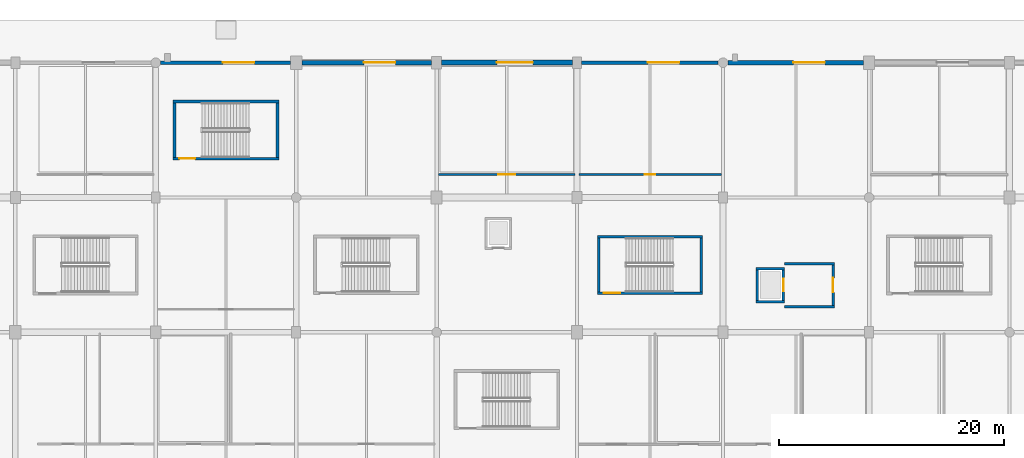
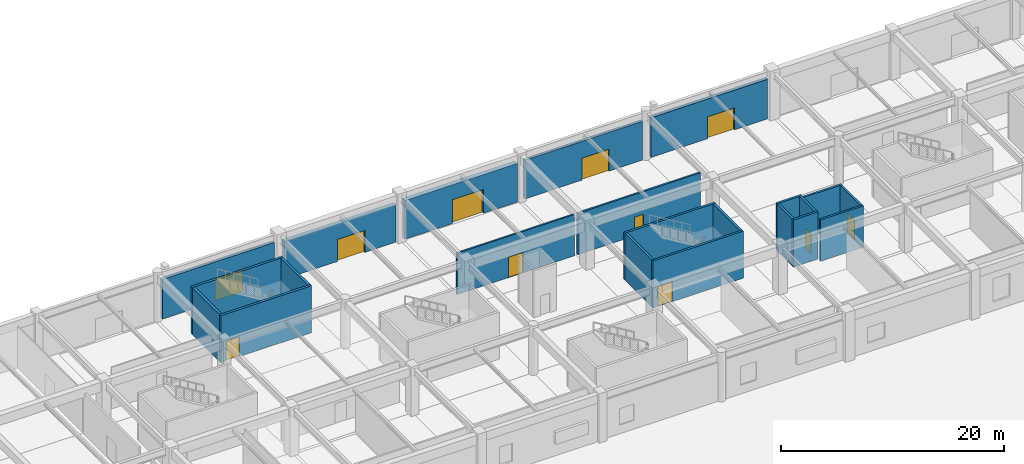
# One storey, part 31 of 69: 22 walls, 11 doors, 11 openings.
"""IFC4 building model written with IfcOpenShell, lengths in metres."""

from ifc_helpers import new_model, si_unit, direction, frame, frame_2d, origin, place, context, subcontext, project, spatial, rectangle, extrude, material, layer, layer_set, type_object, element, fill, save


model = new_model("IFC4")

# Units and contexts
model_context = context("Model", 3, precision=1e-05, world=origin(), true_north=direction((0.0, 1.0)))
body_context = subcontext(model_context, "Body", "Model", "MODEL_VIEW")
ifc_project = project(units=[si_unit("LENGTHUNIT", "METRE"), si_unit("AREAUNIT", "SQUARE_METRE"), si_unit("VOLUMEUNIT", "CUBIC_METRE"), si_unit("PLANEANGLEUNIT", "RADIAN"), si_unit("MASSUNIT", "GRAM", prefix="KILO")], contexts=[model_context])

# Site, building, storey
site_placement = place(None, origin())
site = spatial("IfcSite", under=ifc_project, at=site_placement, CompositionType="ELEMENT")
building_placement = place(site_placement, origin())
building = spatial("IfcBuilding", under=site, at=building_placement, Name="Kazenohara Klinker Stadium", CompositionType="ELEMENT")
storey_placement = place(building_placement, origin())
storey = spatial("IfcBuildingStorey", under=building, at=storey_placement, Name="L00", CompositionType="ELEMENT", Elevation=0.0)

# Wall, opening, door
ifc_material_1 = material(Name="Concrete C40/50", Category="concrete")
ifc_layer_1 = layer(ifc_material_1, 0.22998046875)
ifc_layer_set_1 = layer_set([ifc_layer_1], Name="Concrete C40/50")
wall_type_1 = type_object("IfcWallType", Name="WAL-CORE-230", PredefinedType="SHEAR", material=ifc_layer_set_1)
wall_1_placement = place(storey_placement, frame((100.820068359375, 147.485107421875, 0.0), z_axis=(0.0, 0.0, 1.0), x_axis=(1.0, 0.0, 0.0)))
wall_1 = element("IfcWall", 1, at=wall_1_placement, inside=storey, type_object=wall_type_1, Name="Stairwell shear wall ST10 L00 South", PredefinedType="SHEAR", context=body_context, shape_type="SweptSolid", body=[
    extrude(rectangle(XDim=9.35986328125, YDim=0.22998046875, at=frame_2d((4.679931640625, 0.0))), origin(), (0.0, 0.0, 1.0), 5.139892578125),
])
opening_1_placement = place(wall_1_placement, frame((0.550048828125, 0.0, 0.0)))
opening_1 = element("IfcOpeningElement", 2, at=opening_1_placement, cuts=wall_1, Name="Opening SD02", PredefinedType="OPENING", context=body_context, shape_type="SweptSolid", body=[
    extrude(rectangle(XDim=1.5, YDim=2.199951171875, at=frame_2d((0.75, 1.10009765625))), frame((0.0, 0.125, 0.0), z_axis=(0.0, -1.0, 0.0), x_axis=(1.0, 0.0, 0.0)), (0.0, 0.0, 1.0), 0.25),
])
ifc_material_2 = material(Name="Flush painted steel fire door leaf", Category="steel")
door_type_1 = type_object("IfcDoorType", Name="DR-STR-1500x2200", OperationType="NOTDEFINED", PredefinedType="DOOR", material=ifc_material_2)
door_1_placement = place(opening_1_placement, origin())
door_1 = element("IfcDoor", 3, at=door_1_placement, inside=storey, type_object=door_type_1, Name="Escape stairwell fire door ST10-L00", OperationType="SINGLE_SWING_LEFT", OverallHeight=2.199951171875, OverallWidth=1.5, PredefinedType="DOOR", context=body_context, shape_type="SweptSolid", body=[
    extrude(rectangle(XDim=1.5, YDim=2.199951171875, at=frame_2d((0.75, 1.10009765625))), frame((0.0, 0.02490234375, 0.0), z_axis=(0.0, -1.0, 0.0), x_axis=(1.0, 0.0, 0.0)), (0.0, 0.0, 1.0), 0.050048828125),
])
fill(opening_1, door_1)

# Walls
wall_2_placement = place(storey_placement, frame((100.820068359375, 152.514892578125, 0.0), z_axis=(0.0, 0.0, 1.0), x_axis=(1.0, 0.0, 0.0)))
element("IfcWall", 4, at=wall_2_placement, inside=storey, type_object=wall_type_1, Name="Stairwell shear wall ST10 L00 North", PredefinedType="SHEAR", context=body_context, shape_type="SweptSolid", body=[
    extrude(rectangle(XDim=9.35986328125, YDim=0.22998046875, at=frame_2d((4.679931640625, 0.0))), origin(), (0.0, 0.0, 1.0), 5.139892578125),
])
for number, where, z_axis, x_axis, name in (
    (5, (100.93505859375, 147.60009765625, 0.0), (0.0, 0.0, 1.0), (0.0, 1.0, 0.0), "Stairwell shear wall ST10 L00 West"),
    (6, (110.06494140625, 147.60009765625, 0.0), (0.0, 0.0, 1.0), (0.0, 1.0, 0.0), "Stairwell shear wall ST10 L00 East"),
):
    element("IfcWall", number, at=place(storey_placement, frame(where, z_axis=z_axis, x_axis=x_axis)), inside=storey, type_object=wall_type_1, Name=name, PredefinedType="SHEAR", context=body_context, shape_type="SweptSolid", body=[
        extrude(rectangle(XDim=4.7998046875, YDim=0.22998046875, at=frame_2d((2.39990234375, 0.0))), origin(), (0.0, 0.0, 1.0), 5.139892578125),
    ])
for number, where, z_axis, x_axis, name in (
    (7, (114.919921875, 146.735107421875, 0.0), (0.0, 0.0, 1.0), (1.0, 0.0, 0.0), "Elevator shaft wall LF04 L00 South"),
    (8, (114.919921875, 149.6650390625, 0.0), (0.0, 0.0, 1.0), (1.0, 0.0, 0.0), "Elevator shaft wall LF04 L00 North"),
):
    element("IfcWall", number, at=place(storey_placement, frame(where, z_axis=z_axis, x_axis=x_axis)), inside=storey, type_object=wall_type_1, Name=name, PredefinedType="SHEAR", context=body_context, shape_type="SweptSolid", body=[
        extrude(rectangle(XDim=2.56005859375, YDim=0.22998046875, at=frame_2d((1.280029296875, 0.0))), origin(), (0.0, 0.0, 1.0), 5.139892578125),
    ])
wall_3_placement = place(storey_placement, frame((115.034912109375, 146.85009765625, 0.0), z_axis=(0.0, 0.0, 1.0), x_axis=(0.0, 1.0, 0.0)))
element("IfcWall", 9, at=wall_3_placement, inside=storey, type_object=wall_type_1, Name="Elevator shaft wall LF04 L00 West", PredefinedType="SHEAR", context=body_context, shape_type="SweptSolid", body=[
    extrude(rectangle(XDim=2.699951171875, YDim=0.22998046875, at=frame_2d((1.35009765625, 0.0))), origin(), (0.0, 0.0, 1.0), 5.139892578125),
])

# Wall, opening, door
wall_4_placement = place(storey_placement, frame((117.364990234375, 146.85009765625, 0.0), z_axis=(0.0, 0.0, 1.0), x_axis=(0.0, 1.0, 0.0)))
wall_4 = element("IfcWall", 10, at=wall_4_placement, inside=storey, type_object=wall_type_1, Name="Elevator shaft wall LF04 L00 East", PredefinedType="SHEAR", context=body_context, shape_type="SweptSolid", body=[
    extrude(rectangle(XDim=2.699951171875, YDim=0.22998046875, at=frame_2d((1.35009765625, 0.0))), origin(), (0.0, 0.0, 1.0), 5.139892578125),
])
opening_2_placement = place(wall_4_placement, frame((0.800048828125, 0.0, 0.0)))
opening_2 = element("IfcOpeningElement", 11, at=opening_2_placement, cuts=wall_4, Name="Opening LD01", PredefinedType="OPENING", context=body_context, shape_type="SweptSolid", body=[
    extrude(rectangle(XDim=1.10009765625, YDim=2.14990234375, at=frame_2d((0.550048828125, 1.074951171875))), frame((0.0, 0.125, 0.0), z_axis=(0.0, -1.0, 0.0), x_axis=(1.0, 0.0, 0.0)), (0.0, 0.0, 1.0), 0.25),
])
ifc_material_3 = material(Name="Stainless steel fire-rated sliding landing door", Category="steel")
door_type_2 = type_object("IfcDoorType", Name="DR-LD01-1100x2150", OperationType="NOTDEFINED", PredefinedType="DOOR", material=ifc_material_3)
door_2_placement = place(opening_2_placement, origin())
door_2 = element("IfcDoor", 12, at=door_2_placement, inside=storey, type_object=door_type_2, Name="Elevator sliding landing door LF04-L00", OperationType="DOUBLE_DOOR_SLIDING", OverallHeight=2.14990234375, OverallWidth=1.10009765625, PredefinedType="DOOR", context=body_context, shape_type="SweptSolid", body=[
    extrude(rectangle(XDim=1.10009765625, YDim=2.14990234375, at=frame_2d((0.550048828125, 1.074951171875))), frame((0.0, 0.02490234375, 0.0), z_axis=(0.0, -1.0, 0.0), x_axis=(1.0, 0.0, 0.0)), (0.0, 0.0, 1.0), 0.050048828125),
])
fill(opening_2, door_2)

ifc_layer_2 = layer(ifc_material_1, 0.25)
ifc_layer_set_2 = layer_set([ifc_layer_2], Name="Concrete C40/50")
wall_type_2 = type_object("IfcWallType", Name="WAL-CORE-250", PredefinedType="SHEAR", material=ifc_layer_set_2)
wall_5_placement = place(storey_placement, frame((63.050048828125, 159.455078125, 0.0), z_axis=(0.0, 0.0, 1.0), x_axis=(1.0, 0.0, 0.0)))
wall_5 = element("IfcWall", 13, at=wall_5_placement, inside=storey, type_object=wall_type_2, Name="Stairwell shear wall ST15 L00 South", PredefinedType="SHEAR", context=body_context, shape_type="SweptSolid", body=[
    extrude(rectangle(XDim=9.39990234375, YDim=0.25, at=frame_2d((4.699951171875, 0.0))), origin(), (0.0, 0.0, 1.0), 5.139892578125),
])
opening_3_placement = place(wall_5_placement, frame((0.550048828125, 0.0, 0.0)))
opening_3 = element("IfcOpeningElement", 14, at=opening_3_placement, cuts=wall_5, Name="Opening SD01", PredefinedType="OPENING", context=body_context, shape_type="SweptSolid", body=[
    extrude(rectangle(XDim=1.39990234375, YDim=2.14990234375, at=frame_2d((0.699951171875, 1.074951171875))), frame((0.0, 0.135009765625, 0.0), z_axis=(0.0, -1.0, 0.0), x_axis=(1.0, 0.0, 0.0)), (0.0, 0.0, 1.0), 0.27001953125),
])
door_type_3 = type_object("IfcDoorType", Name="DR-STR-1400x2150", OperationType="NOTDEFINED", PredefinedType="DOOR", material=ifc_material_2)
door_3_placement = place(opening_3_placement, origin())
door_3 = element("IfcDoor", 15, at=door_3_placement, inside=storey, type_object=door_type_3, Name="Escape stairwell fire door ST15-L00", OperationType="SINGLE_SWING_LEFT", OverallHeight=2.14990234375, OverallWidth=1.39990234375, PredefinedType="DOOR", context=body_context, shape_type="SweptSolid", body=[
    extrude(rectangle(XDim=1.39990234375, YDim=2.14990234375, at=frame_2d((0.699951171875, 1.074951171875))), frame((0.0, 0.02490234375, 0.0), z_axis=(0.0, -1.0, 0.0), x_axis=(1.0, 0.0, 0.0)), (0.0, 0.0, 1.0), 0.050048828125),
])
fill(opening_3, door_3)

# Walls
wall_6_placement = place(storey_placement, frame((63.050048828125, 164.544921875, 0.0), z_axis=(0.0, 0.0, 1.0), x_axis=(1.0, 0.0, 0.0)))
element("IfcWall", 16, at=wall_6_placement, inside=storey, type_object=wall_type_2, Name="Stairwell shear wall ST15 L00 North", PredefinedType="SHEAR", context=body_context, shape_type="SweptSolid", body=[
    extrude(rectangle(XDim=9.39990234375, YDim=0.25, at=frame_2d((4.699951171875, 0.0))), origin(), (0.0, 0.0, 1.0), 5.139892578125),
])
for number, where, z_axis, x_axis, name in (
    (17, (63.175048828125, 159.580078125, 0.0), (0.0, 0.0, 1.0), (0.0, 1.0, 0.0), "Stairwell shear wall ST15 L00 West"),
    (18, (72.324951171875, 159.580078125, 0.0), (0.0, 0.0, 1.0), (0.0, 1.0, 0.0), "Stairwell shear wall ST15 L00 East"),
):
    element("IfcWall", number, at=place(storey_placement, frame(where, z_axis=z_axis, x_axis=x_axis)), inside=storey, type_object=wall_type_2, Name=name, PredefinedType="SHEAR", context=body_context, shape_type="SweptSolid", body=[
        extrude(rectangle(XDim=4.83984375, YDim=0.25, at=frame_2d((2.419921875, 0.0))), origin(), (0.0, 0.0, 1.0), 5.139892578125),
    ])

# Wall, opening, door
ifc_material_4 = material(Name="Clinker brick masonry", Category="masonry")
ifc_layer_3 = layer(ifc_material_4, 0.31005859375)
ifc_layer_set_3 = layer_set([ifc_layer_3], Name="Clinker brick masonry")
wall_type_3 = type_object("IfcWallType", Name="WAL-EXT-CB310", PredefinedType="SOLIDWALL", material=ifc_layer_set_3)
wall_7_placement = place(storey_placement, frame((99.404052734375, 168.0, 0.0), z_axis=(0.0, 0.0, 1.0), x_axis=(1.0, 0.0, 0.0)))
wall_7 = element("IfcWall", 19, at=wall_7_placement, inside=storey, type_object=wall_type_3, Name="Clinker brick cavity wall EW05 L00 X8-14", PredefinedType="SOLIDWALL", context=body_context, shape_type="SweptSolid", body=[
    extrude(rectangle(XDim=12.1669921875, YDim=0.31005859375, at=frame_2d((6.08349609375, 0.0))), origin(), (0.0, 0.0, 1.0), 4.239990234375),
])
opening_4_placement = place(wall_7_placement, frame((5.900146484375, 0.0, 0.0)))
opening_4 = element("IfcOpeningElement", 20, at=opening_4_placement, cuts=wall_7, Name="Opening G24", PredefinedType="OPENING", context=body_context, shape_type="SweptSolid", body=[
    extrude(rectangle(XDim=2.800048828125, YDim=2.39990234375, at=frame_2d((1.39990234375, 1.199951171875))), frame((0.0, 0.1650390625, 0.0), z_axis=(0.0, -1.0, 0.0), x_axis=(1.0, 0.0, 0.0)), (0.0, 0.0, 1.0), 0.330078125),
])
ifc_material_5 = material(Name="Powder-coated aluminium and laminated safety glass", Category="aluminium")
door_type_4 = type_object("IfcDoorType", Name="DR-GATE-2800x2400", OperationType="NOTDEFINED", PredefinedType="DOOR", material=ifc_material_5)
door_4_placement = place(opening_4_placement, origin())
door_4 = element("IfcDoor", 21, at=door_4_placement, inside=storey, type_object=door_type_4, Name="Pedestrian exit gate G24", OperationType="DOUBLE_DOOR_SINGLE_SWING", OverallHeight=2.39990234375, OverallWidth=2.800048828125, PredefinedType="DOOR", context=body_context, shape_type="SweptSolid", body=[
    extrude(rectangle(XDim=2.800048828125, YDim=2.39990234375, at=frame_2d((1.39990234375, 1.199951171875))), frame((0.0, 0.02490234375, 0.0), z_axis=(0.0, -1.0, 0.0), x_axis=(1.0, 0.0, 0.0)), (0.0, 0.0, 1.0), 0.050048828125),
])
fill(opening_4, door_4)

ifc_layer_4 = layer(ifc_material_4, 0.340087890625)
ifc_layer_set_4 = layer_set([ifc_layer_4], Name="Clinker brick masonry")
wall_type_4 = type_object("IfcWallType", Name="WAL-EXT-CB340", PredefinedType="SOLIDWALL", material=ifc_layer_set_4)
wall_8_placement = place(storey_placement, frame((61.928955078125, 168.0, 0.0), z_axis=(0.0, 0.0, 1.0), x_axis=(1.0, 0.0, 0.0)))
wall_8 = element("IfcWall", 22, at=wall_8_placement, inside=storey, type_object=wall_type_4, Name="Clinker brick cavity wall EW04 L00 X5-14", PredefinedType="SOLIDWALL", context=body_context, shape_type="SweptSolid", body=[
    extrude(rectangle(XDim=11.567138671875, YDim=0.340087890625, at=frame_2d((5.78369140625, 0.0))), origin(), (0.0, 0.0, 1.0), 4.340087890625),
])
opening_5_placement = place(wall_8_placement, frame((5.540283203125, 0.0, 0.0)))
opening_5 = element("IfcOpeningElement", 23, at=opening_5_placement, cuts=wall_8, Name="Opening G18", PredefinedType="OPENING", context=body_context, shape_type="SweptSolid", body=[
    extrude(rectangle(XDim=2.800048828125, YDim=2.39990234375, at=frame_2d((1.39990234375, 1.199951171875))), frame((0.0, 0.18017578125, 0.0), z_axis=(0.0, -1.0, 0.0), x_axis=(1.0, 0.0, 0.0)), (0.0, 0.0, 1.0), 0.360107421875),
])
door_5_placement = place(opening_5_placement, origin())
door_5 = element("IfcDoor", 24, at=door_5_placement, inside=storey, type_object=door_type_4, Name="Pedestrian exit gate G18", OperationType="DOUBLE_DOOR_SINGLE_SWING", OverallHeight=2.39990234375, OverallWidth=2.800048828125, PredefinedType="DOOR", context=body_context, shape_type="SweptSolid", body=[
    extrude(rectangle(XDim=2.800048828125, YDim=2.39990234375, at=frame_2d((1.39990234375, 1.199951171875))), frame((0.0, 0.02490234375, 0.0), z_axis=(0.0, -1.0, 0.0), x_axis=(1.0, 0.0, 0.0)), (0.0, 0.0, 1.0), 0.050048828125),
])
fill(opening_5, door_5)

ifc_layer_5 = layer(ifc_material_4, 0.3701171875)
ifc_layer_set_5 = layer_set([ifc_layer_5], Name="Clinker brick masonry")
wall_type_5 = type_object("IfcWallType", Name="WAL-EXT-CB370", PredefinedType="SOLIDWALL", material=ifc_layer_set_5)
wall_9_placement = place(storey_placement, frame((112.428955078125, 168.0, 0.0), z_axis=(0.0, 0.0, 1.0), x_axis=(1.0, 0.0, 0.0)))
wall_9 = element("IfcWall", 25, at=wall_9_placement, inside=storey, type_object=wall_type_5, Name="Clinker brick cavity wall EW03 L00 X9-14", PredefinedType="SOLIDWALL", context=body_context, shape_type="SweptSolid", body=[
    extrude(rectangle(XDim=12.067138671875, YDim=0.3701171875, at=frame_2d((6.03369140625, 0.0))), origin(), (0.0, 0.0, 1.0), 4.340087890625),
])
opening_6_placement = place(wall_9_placement, frame((5.840087890625, 0.0, 0.0)))
opening_6 = element("IfcOpeningElement", 26, at=opening_6_placement, cuts=wall_9, Name="Opening G26", PredefinedType="OPENING", context=body_context, shape_type="SweptSolid", body=[
    extrude(rectangle(XDim=2.800048828125, YDim=2.39990234375, at=frame_2d((1.39990234375, 1.199951171875))), frame((0.0, 0.195068359375, 0.0), z_axis=(0.0, -1.0, 0.0), x_axis=(1.0, 0.0, 0.0)), (0.0, 0.0, 1.0), 0.39013671875),
])
door_6_placement = place(opening_6_placement, origin())
door_6 = element("IfcDoor", 27, at=door_6_placement, inside=storey, type_object=door_type_4, Name="Pedestrian exit gate G26", OperationType="DOUBLE_DOOR_SINGLE_SWING", OverallHeight=2.39990234375, OverallWidth=2.800048828125, PredefinedType="DOOR", context=body_context, shape_type="SweptSolid", body=[
    extrude(rectangle(XDim=2.800048828125, YDim=2.39990234375, at=frame_2d((1.39990234375, 1.199951171875))), frame((0.0, 0.02490234375, 0.0), z_axis=(0.0, -1.0, 0.0), x_axis=(1.0, 0.0, 0.0)), (0.0, 0.0, 1.0), 0.050048828125),
])
fill(opening_6, door_6)

ifc_layer_6 = layer(ifc_material_4, 0.409912109375)
ifc_layer_set_6 = layer_set([ifc_layer_6], Name="Clinker brick masonry")
wall_type_6 = type_object("IfcWallType", Name="WAL-EXT-CB410", PredefinedType="SOLIDWALL", material=ifc_layer_set_6)
wall_10_placement = place(storey_placement, frame((74.50390625, 168.0, 0.0), z_axis=(0.0, 0.0, 1.0), x_axis=(1.0, 0.0, 0.0)))
wall_10 = element("IfcWall", 28, at=wall_10_placement, inside=storey, type_object=wall_type_6, Name="Clinker brick cavity wall EW02 L00 X6-14", PredefinedType="SOLIDWALL", context=body_context, shape_type="SweptSolid", body=[
    extrude(rectangle(XDim=11.5419921875, YDim=0.409912109375, at=frame_2d((5.77099609375, 0.0))), origin(), (0.0, 0.0, 1.0), 4.090087890625),
])
opening_7_placement = place(wall_10_placement, frame((5.525146484375, 0.0, 0.0)))
opening_7 = element("IfcOpeningElement", 29, at=opening_7_placement, cuts=wall_10, Name="Opening G20", PredefinedType="OPENING", context=body_context, shape_type="SweptSolid", body=[
    extrude(rectangle(XDim=2.800048828125, YDim=2.39990234375, at=frame_2d((1.39990234375, 1.199951171875))), frame((0.0, 0.21484375, 0.0), z_axis=(0.0, -1.0, 0.0), x_axis=(1.0, 0.0, 0.0)), (0.0, 0.0, 1.0), 0.429931640625),
])
door_7_placement = place(opening_7_placement, origin())
door_7 = element("IfcDoor", 30, at=door_7_placement, inside=storey, type_object=door_type_4, Name="Pedestrian exit gate G20", OperationType="DOUBLE_DOOR_SINGLE_SWING", OverallHeight=2.39990234375, OverallWidth=2.800048828125, PredefinedType="DOOR", context=body_context, shape_type="SweptSolid", body=[
    extrude(rectangle(XDim=2.800048828125, YDim=2.39990234375, at=frame_2d((1.39990234375, 1.199951171875))), frame((0.0, 0.02490234375, 0.0), z_axis=(0.0, -1.0, 0.0), x_axis=(1.0, 0.0, 0.0)), (0.0, 0.0, 1.0), 0.050048828125),
])
fill(opening_7, door_7)

ifc_layer_7 = layer(ifc_material_4, 0.449951171875)
ifc_layer_set_7 = layer_set([ifc_layer_7], Name="Clinker brick masonry")
wall_type_7 = type_object("IfcWallType", Name="WAL-EXT-CB450", PredefinedType="SOLIDWALL", material=ifc_layer_set_7)
wall_11_placement = place(storey_placement, frame((86.9541015625, 168.0, 0.0), z_axis=(0.0, 0.0, 1.0), x_axis=(1.0, 0.0, 0.0)))
wall_11 = element("IfcWall", 31, at=wall_11_placement, inside=storey, type_object=wall_type_7, Name="Clinker brick cavity wall EW01 L00 X7-14", PredefinedType="SOLIDWALL", context=body_context, shape_type="SweptSolid", body=[
    extrude(rectangle(XDim=11.641845703125, YDim=0.449951171875, at=frame_2d((5.82080078125, 0.0))), origin(), (0.0, 0.0, 1.0), 4.239990234375),
])
opening_8_placement = place(wall_11_placement, frame((4.91943359375, 0.0, 0.0)))
opening_8 = element("IfcOpeningElement", 32, at=opening_8_placement, cuts=wall_11, Name="Opening E05", PredefinedType="OPENING", context=body_context, shape_type="SweptSolid", body=[
    extrude(rectangle(XDim=3.199951171875, YDim=2.60009765625, at=frame_2d((1.60009765625, 1.300048828125))), frame((0.0, 0.23486328125, 0.0), z_axis=(0.0, -1.0, 0.0), x_axis=(1.0, 0.0, 0.0)), (0.0, 0.0, 1.0), 0.469970703125),
])
ifc_material_6 = material(Name="Bronze-anodised aluminium and tempered glass", Category="aluminium")
door_type_5 = type_object("IfcDoorType", Name="DR-ENT-3200x2600", OperationType="NOTDEFINED", PredefinedType="DOOR", material=ifc_material_6)
door_8_placement = place(opening_8_placement, origin())
door_8 = element("IfcDoor", 33, at=door_8_placement, inside=storey, type_object=door_type_5, Name="Main spectator entrance E05", OperationType="DOUBLE_DOOR_SINGLE_SWING", OverallHeight=2.60009765625, OverallWidth=3.199951171875, PredefinedType="DOOR", context=body_context, shape_type="SweptSolid", body=[
    extrude(rectangle(XDim=3.199951171875, YDim=2.60009765625, at=frame_2d((1.60009765625, 1.300048828125))), frame((0.0, 0.02490234375, 0.0), z_axis=(0.0, -1.0, 0.0), x_axis=(1.0, 0.0, 0.0)), (0.0, 0.0, 1.0), 0.050048828125),
])
fill(opening_8, door_8)

# Walls
ifc_layer_8 = layer(ifc_material_1, 0.219970703125)
ifc_layer_set_8 = layer_set([ifc_layer_8], Name="Concrete C40/50")
wall_type_8 = type_object("IfcWallType", Name="WAL-INT-FF220", PredefinedType="SOLIDWALL", material=ifc_layer_set_8)
for number, where, z_axis, x_axis, name in (
    (34, (117.47998046875, 146.2900390625, 0.0), (0.0, 0.0, 1.0), (1.0, 0.0, 0.0), "Firefighting lobby wall LF04 L00 South"),
    (35, (117.47998046875, 150.110107421875, 0.0), (0.0, 0.0, 1.0), (1.0, 0.0, 0.0), "Firefighting lobby wall LF04 L00 North"),
):
    element("IfcWall", number, at=place(storey_placement, frame(where, z_axis=z_axis, x_axis=x_axis)), inside=storey, type_object=wall_type_8, Name=name, PredefinedType="SOLIDWALL", context=body_context, shape_type="SweptSolid", body=[
        extrude(rectangle(XDim=4.419921875, YDim=0.219970703125, at=frame_2d((2.2099609375, 0.0))), origin(), (0.0, 0.0, 1.0), 4.52001953125),
    ])

# Wall, opening, door
wall_12_placement = place(storey_placement, frame((121.7900390625, 146.39990234375, 0.0), z_axis=(0.0, 0.0, 1.0), x_axis=(0.0, 1.0, 0.0)))
wall_12 = element("IfcWall", 36, at=wall_12_placement, inside=storey, type_object=wall_type_8, Name="Firefighting lobby front wall LF04 L00", PredefinedType="SOLIDWALL", context=body_context, shape_type="SweptSolid", body=[
    extrude(rectangle(XDim=3.60009765625, YDim=0.219970703125, at=frame_2d((1.800048828125, 0.0))), origin(), (0.0, 0.0, 1.0), 4.52001953125),
])
opening_9_placement = place(wall_12_placement, frame((1.14990234375, 0.0, 0.0)))
opening_9 = element("IfcOpeningElement", 37, at=opening_9_placement, cuts=wall_12, Name="Opening FD01", PredefinedType="OPENING", context=body_context, shape_type="SweptSolid", body=[
    extrude(rectangle(XDim=1.300048828125, YDim=2.14990234375, at=frame_2d((0.64990234375, 1.074951171875))), frame((0.0, 0.1201171875, 0.0), z_axis=(0.0, -1.0, 0.0), x_axis=(1.0, 0.0, 0.0)), (0.0, 0.0, 1.0), 0.239990234375),
])
ifc_material_7 = material(Name="Smoke-sealed steel fire lobby door", Category="steel")
door_type_6 = type_object("IfcDoorType", Name="DR-FFL-1300x2150", OperationType="NOTDEFINED", PredefinedType="DOOR", material=ifc_material_7)
door_9_placement = place(opening_9_placement, origin())
door_9 = element("IfcDoor", 38, at=door_9_placement, inside=storey, type_object=door_type_6, Name="Firefighting lobby smoke-sealed door LF04-L00", OperationType="SINGLE_SWING_LEFT", OverallHeight=2.14990234375, OverallWidth=1.300048828125, PredefinedType="DOOR", context=body_context, shape_type="SweptSolid", body=[
    extrude(rectangle(XDim=1.300048828125, YDim=2.14990234375, at=frame_2d((0.64990234375, 1.074951171875))), frame((0.0, 0.02490234375, 0.0), z_axis=(0.0, -1.0, 0.0), x_axis=(1.0, 0.0, 0.0)), (0.0, 0.0, 1.0), 0.050048828125),
])
fill(opening_9, door_9)

ifc_material_8 = material(Name="Fire-rated gypsum board on acoustic studs", Category="gypsum")
ifc_layer_9 = layer(ifc_material_8, 0.169921875)
ifc_layer_set_9 = layer_set([ifc_layer_9], Name="Fire-rated gypsum board on acoustic studs")
wall_type_9 = type_object("IfcWallType", Name="WAL-INT-P170", PredefinedType="PARTITIONING", material=ifc_layer_set_9)
wall_13_placement = place(storey_placement, frame((86.659912109375, 158.0400390625, 0.0), z_axis=(0.0, 0.0, 1.0), x_axis=(1.0, 0.0, 0.0)))
wall_13 = element("IfcWall", 39, at=wall_13_placement, inside=storey, type_object=wall_type_9, Name="Interior partition wall PT05 SPC-L00-07-13-1-1", PredefinedType="PARTITIONING", context=body_context, shape_type="SweptSolid", body=[
    extrude(rectangle(XDim=12.18017578125, YDim=0.169921875, at=frame_2d((6.090087890625, 0.0))), origin(), (0.0, 0.0, 1.0), 4.52001953125),
])
opening_10_placement = place(wall_13_placement, frame((5.35009765625, 0.0, 0.0)))
opening_10 = element("IfcOpeningElement", 40, at=opening_10_placement, cuts=wall_13, Name="Opening ID20", PredefinedType="OPENING", context=body_context, shape_type="SweptSolid", body=[
    extrude(rectangle(XDim=1.47998046875, YDim=2.239990234375, at=frame_2d((0.739990234375, 1.1201171875))), frame((0.0, 0.094970703125, 0.0), z_axis=(0.0, -1.0, 0.0), x_axis=(1.0, 0.0, 0.0)), (0.0, 0.0, 1.0), 0.18994140625),
])
ifc_material_9 = material(Name="Painted steel plant fire door", Category="steel")
door_type_7 = type_object("IfcDoorType", Name="DR-INT-20", OperationType="NOTDEFINED", PredefinedType="DOOR", material=ifc_material_9)
door_10_placement = place(opening_10_placement, origin())
door_10 = element("IfcDoor", 41, at=door_10_placement, inside=storey, type_object=door_type_7, Name="Interior door ID20 Supporter Merchandising Retail Shop L00-0713A", OperationType="SINGLE_SWING_LEFT", OverallHeight=2.239990234375, OverallWidth=1.47998046875, PredefinedType="DOOR", context=body_context, shape_type="SweptSolid", body=[
    extrude(rectangle(XDim=1.47998046875, YDim=2.239990234375, at=frame_2d((0.739990234375, 1.1201171875))), frame((0.0, 0.02490234375, 0.0), z_axis=(0.0, -1.0, 0.0), x_axis=(1.0, 0.0, 0.0)), (0.0, 0.0, 1.0), 0.050048828125),
])
fill(opening_10, door_10)

ifc_layer_10 = layer(ifc_material_8, 0.18994140625)
ifc_layer_set_10 = layer_set([ifc_layer_10], Name="Fire-rated gypsum board on acoustic studs")
wall_type_10 = type_object("IfcWallType", Name="WAL-INT-P190", PredefinedType="PARTITIONING", material=ifc_layer_set_10)
wall_14_placement = place(storey_placement, frame((99.159912109375, 158.0400390625, 0.0), z_axis=(0.0, 0.0, 1.0), x_axis=(1.0, 0.0, 0.0)))
wall_14 = element("IfcWall", 42, at=wall_14_placement, inside=storey, type_object=wall_type_10, Name="Interior partition wall PT06 SPC-L00-08-13-1-1", PredefinedType="PARTITIONING", context=body_context, shape_type="SweptSolid", body=[
    extrude(rectangle(XDim=12.68017578125, YDim=0.18994140625, at=frame_2d((6.340087890625, 0.0))), origin(), (0.0, 0.0, 1.0), 4.52001953125),
])
opening_11_placement = place(wall_14_placement, frame((5.889892578125, 0.0, 0.0)))
opening_11 = element("IfcOpeningElement", 43, at=opening_11_placement, cuts=wall_14, Name="Opening ID01", PredefinedType="OPENING", context=body_context, shape_type="SweptSolid", body=[
    extrude(rectangle(XDim=0.89990234375, YDim=2.06005859375, at=frame_2d((0.449951171875, 1.030029296875))), frame((0.0, 0.10498046875, 0.0), z_axis=(0.0, -1.0, 0.0), x_axis=(1.0, 0.0, 0.0)), (0.0, 0.0, 1.0), 0.2099609375),
])
ifc_material_10 = material(Name="Solid-core Hokkaido oak fire door", Category="wood")
door_type_8 = type_object("IfcDoorType", Name="DR-INT-01", OperationType="NOTDEFINED", PredefinedType="DOOR", material=ifc_material_10)
door_11_placement = place(opening_11_placement, origin())
door_11 = element("IfcDoor", 44, at=door_11_placement, inside=storey, type_object=door_type_8, Name="Interior door ID01 Spectator First-Aid Medical Clinic L00-0813A", OperationType="SINGLE_SWING_RIGHT", OverallHeight=2.06005859375, OverallWidth=0.89990234375, PredefinedType="DOOR", context=body_context, shape_type="SweptSolid", body=[
    extrude(rectangle(XDim=0.89990234375, YDim=2.06005859375, at=frame_2d((0.449951171875, 1.030029296875))), frame((0.0, 0.02490234375, 0.0), z_axis=(0.0, -1.0, 0.0), x_axis=(1.0, 0.0, 0.0)), (0.0, 0.0, 1.0), 0.050048828125),
])
fill(opening_11, door_11)

save(model, "model.ifc")
